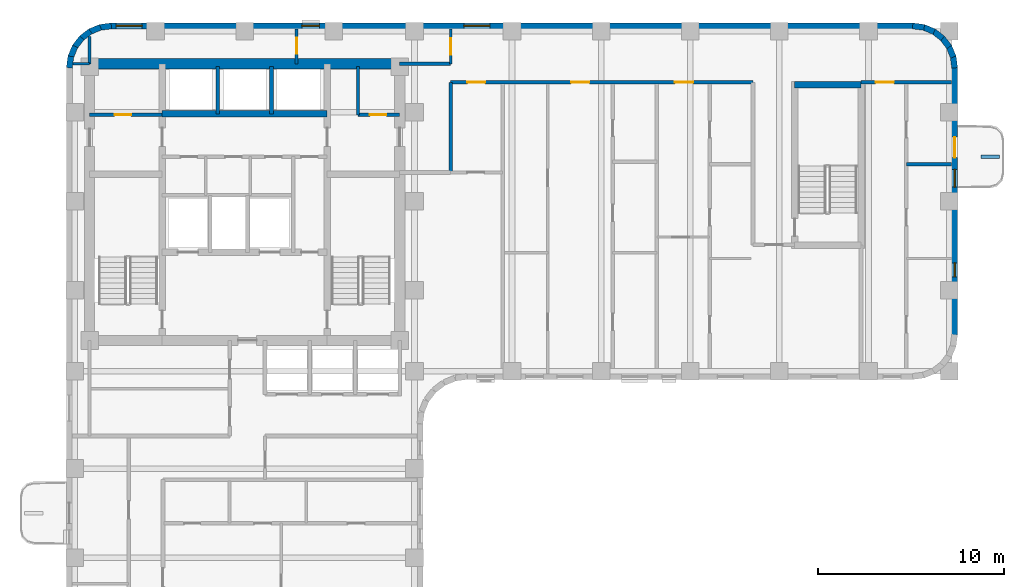
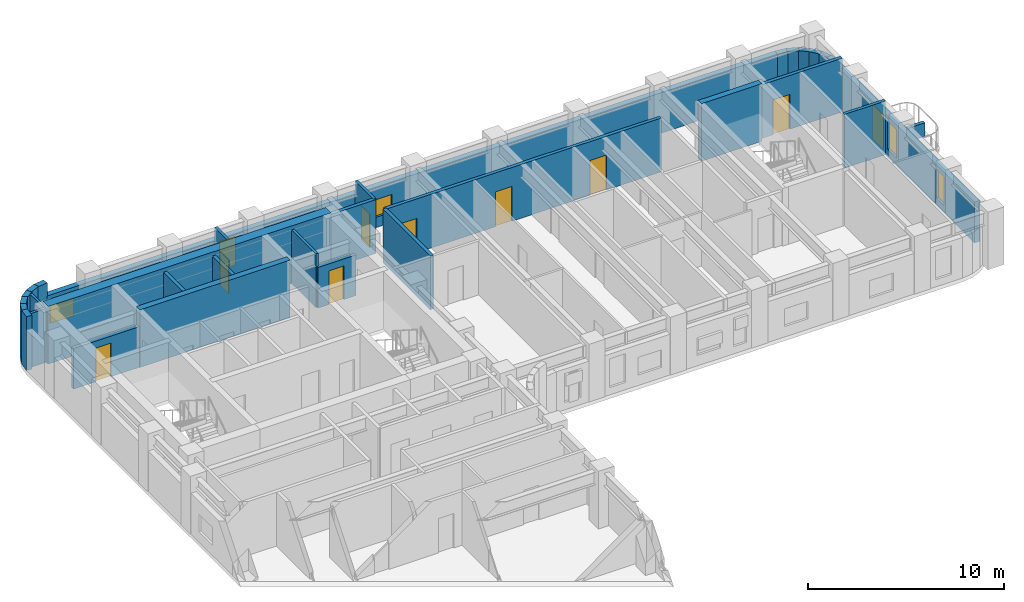
# One storey, part 6 of 10: 32 walls, 9 doors, 5 windows, 14 openings.
"""IFC4 building model written with IfcOpenShell, lengths in metres."""

import ifcopenshell
import ifcopenshell.guid

model = None  # the IFC model being written
_history = None  # IfcOwnerHistory: only IFC2X3 demands one
_inside = {}  # id of a spatial element -> (the spatial element, [elements in it])
_under = {}  # id of a project, library or spatial element -> (it, [spatial elements below it])
_declared = {}  # id of a project -> (the project, [libraries it declares])
_typed = {}  # id of a type object -> (the type object, [elements of that type])
_made_of = {}  # id of a material, layer set ... -> (it, [elements and type objects made of it])


def new_model(schema):
    """Start an empty IFC model of exactly this schema.

    Asked for "IFC4X3", IfcOpenShell would pick the latest addendum, in which some entities
    have other attributes; the version numbers below select the first issue.
    IFC2X3 requires an IfcOwnerHistory on every rooted entity: one is made here for all.
    """
    global model, _history
    if schema == "IFC4X3":
        model = ifcopenshell.file(schema_version=(4, 3, 0, 0))
    else:
        model = ifcopenshell.file(schema=schema)
    _inside.clear()
    _under.clear()
    _declared.clear()
    _typed.clear()
    _made_of.clear()
    _history = None
    if model.schema == "IFC2X3":
        org = make("IfcOrganization", Name="unknown")
        user = make(
            "IfcPersonAndOrganization",
            ThePerson=make("IfcPerson", FamilyName="unknown"),
            TheOrganization=org,
        )
        app = make(
            "IfcApplication",
            ApplicationDeveloper=org,
            Version="unknown",
            ApplicationFullName="unknown",
            ApplicationIdentifier="unknown",
        )
        _history = make(
            "IfcOwnerHistory",
            OwningUser=user,
            OwningApplication=app,
            ChangeAction="ADDED",
            CreationDate=0,
        )
    return model


def make(cls, **values):
    """One entity of the class cls with the attributes given. An attribute that is None is left unset."""
    return model.create_entity(
        cls, **{name: value for name, value in values.items() if value is not None}
    )


def rooted(cls, **values):
    """An entity with a GlobalId (a new one), such as an element, a storey or a relation."""
    return make(cls, GlobalId=ifcopenshell.guid.new(), OwnerHistory=_history, **values)


def si_unit(unit_type, name, prefix=None):
    """IfcSIUnit, for example si_unit("LENGTHUNIT", "METRE", prefix="MILLI")."""
    return make("IfcSIUnit", UnitType=unit_type, Prefix=prefix, Name=name)


def assignment(units):
    """IfcUnitAssignment: the units of a project."""
    return None if units is None else make("IfcUnitAssignment", Units=units)


def point(xyz):
    """IfcCartesianPoint."""
    return None if xyz is None else make("IfcCartesianPoint", Coordinates=xyz)


def direction(xyz):
    """IfcDirection."""
    return None if xyz is None else make("IfcDirection", DirectionRatios=xyz)


def frame(location, z_axis=None, x_axis=None):
    """IfcAxis2Placement3D, a coordinate frame: its origin and axes. An axis left out is left unset."""
    return make(
        "IfcAxis2Placement3D",
        Location=point(location),
        Axis=direction(z_axis),
        RefDirection=direction(x_axis),
    )


def frame_2d(location, x_axis=None):
    """IfcAxis2Placement2D, a coordinate frame in the plane: its origin and x axis."""
    return make(
        "IfcAxis2Placement2D", Location=point(location), RefDirection=direction(x_axis)
    )


def origin():
    """The frame at (0, 0, 0) with its axes left unset."""
    return frame((0.0, 0.0, 0.0))


def place(relative_to, where):
    """IfcLocalPlacement: puts the frame where relative to a parent placement (None: the world)."""
    return make(
        "IfcLocalPlacement", PlacementRelTo=relative_to, RelativePlacement=where
    )


def context(
    kind, dimensions, precision=None, world=None, true_north=None, identifier=None
):
    """IfcGeometricRepresentationContext, for example the 3D "Model" context."""
    return make(
        "IfcGeometricRepresentationContext",
        ContextIdentifier=identifier,
        ContextType=kind,
        CoordinateSpaceDimension=dimensions,
        Precision=precision,
        WorldCoordinateSystem=world,
        TrueNorth=true_north,
    )


def subcontext(parent, identifier, kind, view, scale=None):
    """IfcGeometricRepresentationSubContext, for example "Body" below "Model"."""
    return make(
        "IfcGeometricRepresentationSubContext",
        ContextIdentifier=identifier,
        ContextType=kind,
        ParentContext=parent,
        TargetScale=scale,
        TargetView=view,
    )


def project(units=None, contexts=None):
    """IfcProject with its units and contexts."""
    return rooted(
        "IfcProject",
        Name="project",
        RepresentationContexts=contexts,
        UnitsInContext=assignment(units),
    )


def spatial(cls, under=None, at=None, **own):
    """A site, building, storey or space (cls), placed at a placement, below another one or the project."""
    s = rooted(cls, ObjectPlacement=at, **own)
    if under is not None:
        _under.setdefault(under.id(), (under, []))[1].append(s)
    return s


def profile(cls, at=None, kind="AREA", **sizes):
    """A parametric profile (cls). Its sizes go by their IFC names, for example OverallWidth=200.0."""
    return make(cls, ProfileType=kind, Position=at, **sizes)


def rectangle(**sizes):
    """IfcRectangleProfileDef."""
    return profile("IfcRectangleProfileDef", **sizes)


def extrude(swept, where, along, depth):
    """IfcExtrudedAreaSolid: the profile swept, set in the frame where, extruded along a direction by depth."""
    return make(
        "IfcExtrudedAreaSolid",
        SweptArea=swept,
        Position=where,
        ExtrudedDirection=direction(along),
        Depth=depth,
    )


def shape(context_of_items, identifier, shape_type, items):
    """IfcShapeRepresentation: the items that make up one representation, for example the "Body"."""
    return make(
        "IfcShapeRepresentation",
        ContextOfItems=context_of_items,
        RepresentationIdentifier=identifier,
        RepresentationType=shape_type,
        Items=items,
    )


def material(Name=None, Category=None):
    """IfcMaterial."""
    return make("IfcMaterial", Name=Name, Category=Category)


def layer(
    of_material, thickness, ventilated=None, Name=None, Category=None, Priority=None
):
    """IfcMaterialLayer: one layer of a wall or slab, of a material (None: an air gap)."""
    return make(
        "IfcMaterialLayer",
        Material=of_material,
        LayerThickness=thickness,
        IsVentilated=ventilated,
        Name=Name,
        Category=Category,
        Priority=Priority,
    )


def layer_set(layers, Name=None):
    """IfcMaterialLayerSet."""
    return make("IfcMaterialLayerSet", MaterialLayers=layers, LayerSetName=Name)


def made_of(thing, what):
    """Note that an element or type object is made of a material, layer set ...; save() writes the relation."""
    if what is not None:
        _made_of.setdefault(what.id(), (what, []))[1].append(thing)
    return thing


def type_object(cls, material=None, **own):
    """A type object (cls), such as IfcWallType, which elements share."""
    return made_of(rooted(cls, **own), material)


def element(
    cls,
    number,
    at=None,
    inside=None,
    cuts=None,
    type_object=None,
    material=None,
    context=None,
    identifier="Body",
    shape_type=None,
    held_by="IfcProductDefinitionShape",
    body=None,
    shapes=None,
    **own,
):
    """One element of the class cls, such as IfcWall. Its Tag is "e" and its number.

    at: its placement. inside: the storey or other place that contains it. cuts: it is an
    opening in that element (IfcRelVoidsElement). A single representation is given by context,
    identifier, shape_type and body (its items); several are given by shapes. held_by: the class
    of the entity that holds the representations. save() writes the other relations.
    """
    e = rooted(cls, Tag="e%d" % number, ObjectPlacement=at, **own)
    if body is not None:
        shapes = [shape(context, identifier, shape_type, body)]
    if shapes is not None:
        e.Representation = make(held_by, Representations=shapes)
    if inside is not None:
        _inside.setdefault(inside.id(), (inside, []))[1].append(e)
    if cuts is not None:
        rooted(
            "IfcRelVoidsElement", RelatingBuildingElement=cuts, RelatedOpeningElement=e
        )
    if type_object is not None:
        _typed.setdefault(type_object.id(), (type_object, []))[1].append(e)
    return made_of(e, material)


def fill(opening, filler):
    """IfcRelFillsElement: the door or window that sits in an opening."""
    return rooted(
        "IfcRelFillsElement",
        RelatingOpeningElement=opening,
        RelatedBuildingElement=filler,
    )


def aggregate(whole, parts):
    """IfcRelAggregates: a whole, such as a stair, and the parts it consists of."""
    return rooted("IfcRelAggregates", RelatingObject=whole, RelatedObjects=parts)


def save(model, path):
    """Write the relations noted so far, then the file.

    IfcRelAggregates (storeys below a building ...), IfcRelContainedInSpatialStructure (elements
    in a storey), IfcRelDefinesByType, IfcRelAssociatesMaterial and IfcRelDeclares: one each for
    every whole, place, type object, material and project.
    """
    for whole, parts in _under.values():
        aggregate(whole, parts)
    for where, things in _inside.values():
        rooted(
            "IfcRelContainedInSpatialStructure",
            RelatedElements=things,
            RelatingStructure=where,
        )
    for kind, things in _typed.values():
        rooted("IfcRelDefinesByType", RelatedObjects=things, RelatingType=kind)
    for what, things in _made_of.values():
        rooted("IfcRelAssociatesMaterial", RelatedObjects=things, RelatingMaterial=what)
    for by, libraries in _declared.values():
        rooted("IfcRelDeclares", RelatingContext=by, RelatedDefinitions=libraries)
    model.write(path)


model = new_model("IFC4")

# Units and contexts
model_context = context("Model", 3, precision=1e-05, world=origin(), true_north=direction((0.0, 1.0)))
body_context = subcontext(model_context, "Body", "Model", "MODEL_VIEW")
ifc_project = project(units=[si_unit("LENGTHUNIT", "METRE"), si_unit("AREAUNIT", "SQUARE_METRE"), si_unit("VOLUMEUNIT", "CUBIC_METRE"), si_unit("PLANEANGLEUNIT", "RADIAN"), si_unit("MASSUNIT", "GRAM", prefix="KILO")], contexts=[model_context])

# Site, building, storey
site_placement = place(None, origin())
site = spatial("IfcSite", under=ifc_project, at=site_placement, CompositionType="ELEMENT")
building_placement = place(site_placement, origin())
building = spatial("IfcBuilding", under=site, at=building_placement, Name="Orvandelia Arch Residences", CompositionType="ELEMENT")
storey_placement = place(building_placement, frame((0.0, 0.0, 143.199951171875)))
storey = spatial("IfcBuildingStorey", under=building, at=storey_placement, Name="L37", CompositionType="ELEMENT", Elevation=143.199951171875)

# Walls
ifc_material_1 = material(Name="Concrete C50/60", Category="concrete")
ifc_layer_1 = layer(ifc_material_1, 0.35009765625, Name="Concrete C50/60", Category="concrete")
ifc_layer_set_1 = layer_set([ifc_layer_1], Name="Concrete C50/60")
wall_type_1 = type_object("IfcWallType", Name="WL-CORE-350", PredefinedType="SHEAR", material=ifc_layer_set_1)
wall_1_placement = place(storey_placement, frame((9.9599609375, 43.10009765625, 0.0), z_axis=(0.0, 0.0, 1.0), x_axis=(1.0, 0.0, 0.0)))
element("IfcWall", 1, at=wall_1_placement, inside=storey, type_object=wall_type_1, Name="Core Shear Wall L37-HZ4", PredefinedType="SHEAR", context=body_context, shape_type="SweptSolid", body=[
    extrude(rectangle(XDim=8.880126953125, YDim=0.35009765625, at=frame_2d((4.43994140625, 0.0))), origin(), (0.0, 0.0, 1.0), 3.60009765625),
])
wall_2_placement = place(storey_placement, frame((44.02001953125, 44.659912109375, 0.0), z_axis=(0.0, 0.0, 1.0), x_axis=(1.0, 0.0, 0.0)))
element("IfcWall", 2, at=wall_2_placement, inside=storey, type_object=wall_type_1, Name="East Stair Core Shear Wall L37-N", PredefinedType="SHEAR", context=body_context, shape_type="SweptSolid", body=[
    extrude(rectangle(XDim=3.580078125, YDim=0.35009765625, at=frame_2d((1.7900390625, 0.0))), origin(), (0.0, 0.0, 1.0), 3.60009765625),
])
ifc_material_2 = material(Name="Concrete C60/75", Category="concrete")
ifc_layer_2 = layer(ifc_material_2, 0.550048828125, Name="Concrete C60/75", Category="concrete")
ifc_layer_set_2 = layer_set([ifc_layer_2], Name="Concrete C60/75")
wall_type_2 = type_object("IfcWallType", Name="WL-CORE-550", PredefinedType="SHEAR", material=ifc_layer_set_2)
wall_3_placement = place(storey_placement, frame((6.050048828125, 45.800048828125, 0.0), z_axis=(0.0, 0.0, 1.0), x_axis=(1.0, 0.0, 0.0)))
element("IfcWall", 3, at=wall_3_placement, inside=storey, type_object=wall_type_2, Name="Core Shear Wall L37-N", PredefinedType="SHEAR", context=body_context, shape_type="SweptSolid", body=[
    extrude(rectangle(XDim=16.699951171875, YDim=0.550048828125, at=frame_2d((8.35009765625, 0.0))), origin(), (0.0, 0.0, 1.0), 3.60009765625),
])
ifc_material_3 = material(Name="Fire-Rated Corridor Partition")
ifc_layer_3 = layer(ifc_material_3, 0.199951171875, Name="Fire-Rated Corridor Partition")
ifc_layer_set_3 = layer_set([ifc_layer_3], Name="Fire-Rated Corridor Partition")
wall_type_3 = type_object("IfcWallType", Name="WL-CORR-200", PredefinedType="PARTITIONING", material=ifc_layer_set_3)
wall_4_placement = place(storey_placement, frame((22.75, 45.800048828125, 0.0), z_axis=(0.0, 0.0, 1.0), x_axis=(1.0, 0.0, 0.0)))
element("IfcWall", 4, at=wall_4_placement, inside=storey, type_object=wall_type_3, Name="Interior Partition Wall WL-L37-NCE-S", PredefinedType="PARTITIONING", context=body_context, shape_type="SweptSolid", body=[
    extrude(rectangle(XDim=2.75, YDim=0.199951171875, at=frame_2d((1.375, 0.0))), origin(), (0.0, 0.0, 1.0), 3.360107421875),
])

# Wall, openings, doors
wall_5_placement = place(storey_placement, frame((25.5, 44.800048828125, 0.0), z_axis=(0.0, 0.0, 1.0), x_axis=(1.0, 0.0, 0.0)))
wall_5 = element("IfcWall", 5, at=wall_5_placement, inside=storey, type_object=wall_type_3, Name="Interior Partition Wall WL-L37-EN2-S1", PredefinedType="PARTITIONING", context=body_context, shape_type="SweptSolid", body=[
    extrude(rectangle(XDim=16.280029296875, YDim=0.199951171875, at=frame_2d((8.14013671875, 0.0))), origin(), (0.0, 0.0, 1.0), 3.360107421875),
])
opening_1_placement = place(wall_5_placement, frame((0.89990234375, 0.0, 0.0)))
opening_1 = element("IfcOpeningElement", 6, at=opening_1_placement, cuts=wall_5, Name="Opening D2", PredefinedType="OPENING", context=body_context, shape_type="SweptSolid", body=[
    extrude(rectangle(XDim=0.949951171875, YDim=2.14990234375, at=frame_2d((0.47509765625, 1.074951171875))), frame((0.0, 0.10986328125, 0.0), z_axis=(0.0, -1.0, 0.0), x_axis=(1.0, 0.0, 0.0)), (0.0, 0.0, 1.0), 0.219970703125),
])
opening_2_placement = place(wall_5_placement, frame((6.485595703125, 0.0, 0.0)))
opening_2 = element("IfcOpeningElement", 7, at=opening_2_placement, cuts=wall_5, Name="Opening D1", PredefinedType="OPENING", context=body_context, shape_type="SweptSolid", body=[
    extrude(rectangle(XDim=0.97998046875, YDim=2.179931640625, at=frame_2d((0.489990234375, 1.08984375))), frame((0.0, 0.10986328125, 0.0), z_axis=(0.0, -1.0, 0.0), x_axis=(1.0, 0.0, 0.0)), (0.0, 0.0, 1.0), 0.219970703125),
])
opening_3_placement = place(wall_5_placement, frame((12.074951171875, 0.0, 0.0)))
opening_3 = element("IfcOpeningElement", 8, at=opening_3_placement, cuts=wall_5, Name="Opening D1", PredefinedType="OPENING", context=body_context, shape_type="SweptSolid", body=[
    extrude(rectangle(XDim=0.97998046875, YDim=2.179931640625, at=frame_2d((0.489990234375, 1.08984375))), frame((0.0, 0.10986328125, 0.0), z_axis=(0.0, -1.0, 0.0), x_axis=(1.0, 0.0, 0.0)), (0.0, 0.0, 1.0), 0.219970703125),
])
ifc_material_4 = material(Name="Solid-Core Timber Interior Fire Door", Category="wood")
door_type_1 = type_object("IfcDoorType", Name="DR-APT-950", OperationType="NOTDEFINED", PredefinedType="DOOR", material=ifc_material_4)
door_1_placement = place(opening_1_placement, origin())
door_1 = element("IfcDoor", 9, at=door_1_placement, inside=storey, type_object=door_type_1, Name="DR-L37-EN2KLD", OperationType="SINGLE_SWING_LEFT", OverallHeight=2.14990234375, OverallWidth=0.949951171875, PredefinedType="DOOR", context=body_context, shape_type="SweptSolid", body=[
    extrude(rectangle(XDim=0.949951171875, YDim=2.14990234375, at=frame_2d((0.47509765625, 1.074951171875))), frame((0.0, 0.02490234375, 0.0), z_axis=(0.0, -1.0, 0.0), x_axis=(1.0, 0.0, 0.0)), (0.0, 0.0, 1.0), 0.050048828125),
])
fill(opening_1, door_1)
ifc_material_5 = material(Name="Solid-Core Timber Acoustic Fire Door", Category="wood")
door_type_2 = type_object("IfcDoorType", Name="DR-ENT-980", OperationType="NOTDEFINED", PredefinedType="DOOR", material=ifc_material_5)
door_2_placement = place(opening_2_placement, origin())
door_2 = element("IfcDoor", 10, at=door_2_placement, inside=storey, type_object=door_type_2, Name="Unit L37-03 Entrance Door", OperationType="SINGLE_SWING_LEFT", OverallHeight=2.179931640625, OverallWidth=0.97998046875, PredefinedType="DOOR", context=body_context, shape_type="SweptSolid", body=[
    extrude(rectangle(XDim=0.97998046875, YDim=2.179931640625, at=frame_2d((0.489990234375, 1.08984375))), frame((0.0, 0.02490234375, 0.0), z_axis=(0.0, -1.0, 0.0), x_axis=(1.0, 0.0, 0.0)), (0.0, 0.0, 1.0), 0.050048828125),
])
fill(opening_2, door_2)
door_3_placement = place(opening_3_placement, origin())
door_3 = element("IfcDoor", 11, at=door_3_placement, inside=storey, type_object=door_type_2, Name="Unit L37-04 Entrance Door", OperationType="SINGLE_SWING_RIGHT", OverallHeight=2.179931640625, OverallWidth=0.97998046875, PredefinedType="DOOR", context=body_context, shape_type="SweptSolid", body=[
    extrude(rectangle(XDim=0.97998046875, YDim=2.179931640625, at=frame_2d((0.489990234375, 1.08984375))), frame((0.0, 0.02490234375, 0.0), z_axis=(0.0, -1.0, 0.0), x_axis=(1.0, 0.0, 0.0)), (0.0, 0.0, 1.0), 0.050048828125),
])
fill(opening_3, door_3)

# Wall, opening, door
wall_6_placement = place(storey_placement, frame((47.60009765625, 44.800048828125, 0.0), z_axis=(0.0, 0.0, 1.0), x_axis=(1.0, 0.0, 0.0)))
wall_6 = element("IfcWall", 12, at=wall_6_placement, inside=storey, type_object=wall_type_3, Name="Interior Partition Wall WL-L37-EN2-S2", PredefinedType="PARTITIONING", context=body_context, shape_type="SweptSolid", body=[
    extrude(rectangle(XDim=4.8798828125, YDim=0.199951171875, at=frame_2d((2.43994140625, 0.0))), origin(), (0.0, 0.0, 1.0), 3.360107421875),
])
opening_4_placement = place(wall_6_placement, frame((0.79150390625, 0.0, 0.0)))
opening_4 = element("IfcOpeningElement", 13, at=opening_4_placement, cuts=wall_6, Name="Opening D1", PredefinedType="OPENING", context=body_context, shape_type="SweptSolid", body=[
    extrude(rectangle(XDim=0.97998046875, YDim=2.179931640625, at=frame_2d((0.489990234375, 1.08984375))), frame((0.0, 0.10986328125, 0.0), z_axis=(0.0, -1.0, 0.0), x_axis=(1.0, 0.0, 0.0)), (0.0, 0.0, 1.0), 0.219970703125),
])
door_4_placement = place(opening_4_placement, origin())
door_4 = element("IfcDoor", 14, at=door_4_placement, inside=storey, type_object=door_type_2, Name="Unit L37-05 Entrance Door", OperationType="SINGLE_SWING_LEFT", OverallHeight=2.179931640625, OverallWidth=0.97998046875, PredefinedType="DOOR", context=body_context, shape_type="SweptSolid", body=[
    extrude(rectangle(XDim=0.97998046875, YDim=2.179931640625, at=frame_2d((0.489990234375, 1.08984375))), frame((0.0, 0.02490234375, 0.0), z_axis=(0.0, -1.0, 0.0), x_axis=(1.0, 0.0, 0.0)), (0.0, 0.0, 1.0), 0.050048828125),
])
fill(opening_4, door_4)

# Walls
wall_7_placement = place(storey_placement, frame((25.5, 39.949951171875, 0.0), z_axis=(0.0, 0.0, 1.0), x_axis=(0.0, 1.0, 0.0)))
element("IfcWall", 15, at=wall_7_placement, inside=storey, type_object=wall_type_3, Name="Interior Partition Wall WL-L37-EN2-LW", PredefinedType="PARTITIONING", context=body_context, shape_type="SweptSolid", body=[
    extrude(rectangle(XDim=4.85009765625, YDim=0.199951171875, at=frame_2d((2.425048828125, 0.0))), origin(), (0.0, 0.0, 1.0), 3.360107421875),
])
ifc_material_6 = material(Name="Precast concrete C40/50", Category="concrete")
ifc_layer_4 = layer(ifc_material_6, 0.320068359375, Name="Precast concrete C40/50", Category="concrete")
ifc_layer_set_4 = layer_set([ifc_layer_4], Name="Precast concrete C40/50")
wall_type_4 = type_object("IfcWallType", Name="WL-EXT-STONE-320", PredefinedType="STANDARD", material=ifc_layer_set_4)
for number, where, z_axis, x_axis, name in (
    (16, (4.95849609375, 45.5791015625, 0.0), (0.0, 0.0, 1.0), (0.130555323746, 0.9914410257, 0.0), "Coral-Limestone Precast Facade Wall L37-001"),
    (17, (5.029541015625, 46.159912109375, 0.0), (0.0, 0.0, 1.0), (0.382650053678, 0.92389335771, 0.0), "Coral-Limestone Precast Facade Wall L37-002"),
):
    element("IfcWall", number, at=place(storey_placement, frame(where, z_axis=z_axis, x_axis=x_axis)), inside=storey, type_object=wall_type_4, Name=name, PredefinedType="STANDARD", context=body_context, shape_type="SweptSolid", body=[
        extrude(rectangle(XDim=0.62646484375, YDim=0.320068359375, at=frame_2d((0.313232421875, 0.0))), origin(), (0.0, 0.0, 1.0), 3.360107421875),
    ])
wall_8_placement = place(storey_placement, frame((5.248291015625, 46.70263671875, 0.0), z_axis=(0.0, 0.0, 1.0), x_axis=(0.608938521285, 0.7932174212, 0.0)))
element("IfcWall", 18, at=wall_8_placement, inside=storey, type_object=wall_type_4, Name="Coral-Limestone Precast Facade Wall L37-003", PredefinedType="STANDARD", context=body_context, shape_type="SweptSolid", body=[
    extrude(rectangle(XDim=0.626708984375, YDim=0.320068359375, at=frame_2d((0.3134765625, 0.0))), origin(), (0.0, 0.0, 1.0), 3.360107421875),
])
wall_9_placement = place(storey_placement, frame((5.600341796875, 47.170166015625, 0.0), z_axis=(0.0, 0.0, 1.0), x_axis=(0.793405610854, 0.608693302629, 0.0)))
element("IfcWall", 19, at=wall_9_placement, inside=storey, type_object=wall_type_4, Name="Coral-Limestone Precast Facade Wall L37-004", PredefinedType="STANDARD", context=body_context, shape_type="SweptSolid", body=[
    extrude(rectangle(XDim=0.62646484375, YDim=0.320068359375, at=frame_2d((0.313232421875, 0.0))), origin(), (0.0, 0.0, 1.0), 3.360107421875),
])
wall_10_placement = place(storey_placement, frame((6.061279296875, 47.53076171875, 0.0), z_axis=(0.0, 0.0, 1.0), x_axis=(0.923836271867, 0.382787856107, 0.0)))
element("IfcWall", 20, at=wall_10_placement, inside=storey, type_object=wall_type_4, Name="Coral-Limestone Precast Facade Wall L37-005", PredefinedType="STANDARD", context=body_context, shape_type="SweptSolid", body=[
    extrude(rectangle(XDim=0.626220703125, YDim=0.320068359375, at=frame_2d((0.31298828125, 0.0))), origin(), (0.0, 0.0, 1.0), 3.360107421875),
])
wall_11_placement = place(storey_placement, frame((6.599609375, 47.759521484375, 0.0), z_axis=(0.0, 0.0, 1.0), x_axis=(0.991447664465, 0.130504898859, 0.0)))
element("IfcWall", 21, at=wall_11_placement, inside=storey, type_object=wall_type_4, Name="Coral-Limestone Precast Facade Wall L37-006", PredefinedType="STANDARD", context=body_context, shape_type="SweptSolid", body=[
    extrude(rectangle(XDim=0.626708984375, YDim=0.320068359375, at=frame_2d((0.3134765625, 0.0))), origin(), (0.0, 0.0, 1.0), 3.360107421875),
])

# Wall, openings, windows
wall_12_placement = place(storey_placement, frame((7.199951171875, 47.840087890625, 0.0), z_axis=(0.0, 0.0, 1.0), x_axis=(1.0, 0.0, 0.0)))
wall_12 = element("IfcWall", 22, at=wall_12_placement, inside=storey, type_object=wall_type_4, Name="Coral-Limestone Precast Facade Wall L37-007", PredefinedType="STANDARD", context=body_context, shape_type="SweptSolid", body=[
    extrude(rectangle(XDim=43.199951171875, YDim=0.320068359375, at=frame_2d((21.60009765625, 0.0))), origin(), (0.0, 0.0, 1.0), 2.5400390625),
])
opening_5_placement = place(wall_12_placement, frame((19.00244140625, 0.0, 0.64990234375)))
opening_5 = element("IfcOpeningElement", 23, at=opening_5_placement, cuts=wall_12, Name="Opening W10", PredefinedType="OPENING", context=body_context, shape_type="SweptSolid", body=[
    extrude(rectangle(XDim=1.39990234375, YDim=1.10009765625, at=frame_2d((0.699951171875, 0.550048828125))), frame((0.0, 0.169921875, 0.0), z_axis=(0.0, -1.0, 0.0), x_axis=(1.0, 0.0, 0.0)), (0.0, 0.0, 1.0), 0.340087890625),
])
opening_6_placement = place(wall_12_placement, frame((0.282470703125, 0.0, 0.64990234375)))
opening_6 = element("IfcOpeningElement", 24, at=opening_6_placement, cuts=wall_12, Name="Opening W10", PredefinedType="OPENING", context=body_context, shape_type="SweptSolid", body=[
    extrude(rectangle(XDim=1.39990234375, YDim=1.10009765625, at=frame_2d((0.699951171875, 0.550048828125))), frame((0.0, 0.169921875, 0.0), z_axis=(0.0, -1.0, 0.0), x_axis=(1.0, 0.0, 0.0)), (0.0, 0.0, 1.0), 0.340087890625),
])
opening_7_placement = place(wall_12_placement, frame((10.277587890625, 0.0, 0.449951171875)))
opening_7 = element("IfcOpeningElement", 25, at=opening_7_placement, cuts=wall_12, Name="Opening W4", PredefinedType="OPENING", context=body_context, shape_type="SweptSolid", body=[
    extrude(rectangle(XDim=0.949951171875, YDim=1.800048828125, at=frame_2d((0.47509765625, 0.89990234375))), frame((0.0, 0.169921875, 0.0), z_axis=(0.0, -1.0, 0.0), x_axis=(1.0, 0.0, 0.0)), (0.0, 0.0, 1.0), 0.340087890625),
])
ifc_material_7 = material(Name="Tempered Low-E Insulated Glazing", Category="glass")
window_type_1 = type_object("IfcWindowType", Name="WIN-CLR-1400x1100", PartitioningType="SINGLE_PANEL", PredefinedType="WINDOW", material=ifc_material_7)
window_1_placement = place(opening_5_placement, origin())
window_1 = element("IfcWindow", 26, at=window_1_placement, inside=storey, type_object=window_type_1, Name="Recessed Punched Window L37-001", OverallHeight=1.10009765625, OverallWidth=1.39990234375, PartitioningType="SINGLE_PANEL", PredefinedType="WINDOW", context=body_context, shape_type="SweptSolid", body=[
    extrude(rectangle(XDim=1.39990234375, YDim=1.10009765625, at=frame_2d((0.699951171875, 0.550048828125))), frame((0.0, 0.030029296875, 0.0), z_axis=(0.0, -1.0, 0.0), x_axis=(1.0, 0.0, 0.0)), (0.0, 0.0, 1.0), 0.06005859375),
])
fill(opening_5, window_1)
window_2_placement = place(opening_6_placement, origin())
window_2 = element("IfcWindow", 27, at=window_2_placement, inside=storey, type_object=window_type_1, Name="Recessed Punched Window L37-002", OverallHeight=1.10009765625, OverallWidth=1.39990234375, PartitioningType="SINGLE_PANEL", PredefinedType="WINDOW", context=body_context, shape_type="SweptSolid", body=[
    extrude(rectangle(XDim=1.39990234375, YDim=1.10009765625, at=frame_2d((0.699951171875, 0.550048828125))), frame((0.0, 0.030029296875, 0.0), z_axis=(0.0, -1.0, 0.0), x_axis=(1.0, 0.0, 0.0)), (0.0, 0.0, 1.0), 0.06005859375),
])
fill(opening_6, window_2)
window_type_2 = type_object("IfcWindowType", Name="WIN-RES-0950x1800", PartitioningType="SINGLE_PANEL", PredefinedType="WINDOW", material=ifc_material_7)
window_3_placement = place(opening_7_placement, origin())
window_3 = element("IfcWindow", 28, at=window_3_placement, inside=storey, type_object=window_type_2, Name="Recessed Punched Window L37-003", OverallHeight=1.800048828125, OverallWidth=0.949951171875, PartitioningType="SINGLE_PANEL", PredefinedType="WINDOW", context=body_context, shape_type="SweptSolid", body=[
    extrude(rectangle(XDim=0.949951171875, YDim=1.800048828125, at=frame_2d((0.47509765625, 0.89990234375))), frame((0.0, 0.030029296875, 0.0), z_axis=(0.0, -1.0, 0.0), x_axis=(1.0, 0.0, 0.0)), (0.0, 0.0, 1.0), 0.06005859375),
])
fill(opening_7, window_3)

# Walls
for number, where, z_axis, x_axis, name in (
    (29, (50.379150390625, 47.84130859375, 0.0), (0.0, 0.0, 1.0), (0.9914410257, -0.130555323746, 0.0), "Coral-Limestone Precast Facade Wall L37-008"),
    (30, (50.9599609375, 47.7705078125, 0.0), (0.0, 0.0, 1.0), (0.92389335771, -0.382650053678, 0.0), "Coral-Limestone Precast Facade Wall L37-009"),
    (31, (51.502685546875, 47.551513671875, 0.0), (0.0, 0.0, 1.0), (0.793405610854, -0.608693302629, 0.0), "Coral-Limestone Precast Facade Wall L37-010"),
    (32, (51.97021484375, 47.19970703125, 0.0), (0.0, 0.0, 1.0), (0.608693302629, -0.793405610854, 0.0), "Coral-Limestone Precast Facade Wall L37-011"),
    (33, (52.330810546875, 46.73876953125, 0.0), (0.0, 0.0, 1.0), (0.382317370307, -0.924031075431, 0.0), "Coral-Limestone Precast Facade Wall L37-012"),
    (34, (52.5595703125, 46.2001953125, 0.0), (0.0, 0.0, 1.0), (0.130555323746, -0.9914410257, 0.0), "Coral-Limestone Precast Facade Wall L37-013"),
):
    element("IfcWall", number, at=place(storey_placement, frame(where, z_axis=z_axis, x_axis=x_axis)), inside=storey, type_object=wall_type_4, Name=name, PredefinedType="STANDARD", context=body_context, shape_type="SweptSolid", body=[
        extrude(rectangle(XDim=0.62646484375, YDim=0.320068359375, at=frame_2d((0.313232421875, 0.0))), origin(), (0.0, 0.0, 1.0), 2.5400390625),
    ])

# Wall, openings, door, windows
wall_13_placement = place(storey_placement, frame((52.639892578125, 45.60009765625, 0.0), z_axis=(0.0, 0.0, 1.0), x_axis=(0.0, -1.0, 0.0)))
wall_13 = element("IfcWall", 35, at=wall_13_placement, inside=storey, type_object=wall_type_4, Name="Coral-Limestone Precast Facade Wall L37-014", PredefinedType="STANDARD", context=body_context, shape_type="SweptSolid", body=[
    extrude(rectangle(XDim=14.400146484375, YDim=0.320068359375, at=frame_2d((7.2001953125, 0.0))), origin(), (0.0, 0.0, 1.0), 2.5400390625),
])
opening_8_placement = place(wall_13_placement, frame((3.75, 0.0, 0.0)))
opening_8 = element("IfcOpeningElement", 36, at=opening_8_placement, cuts=wall_13, Name="Opening BD1", PredefinedType="OPENING", context=body_context, shape_type="SweptSolid", body=[
    extrude(rectangle(XDim=1.10009765625, YDim=2.14990234375, at=frame_2d((0.550048828125, 1.074951171875))), frame((0.0, 0.169921875, 0.0), z_axis=(0.0, -1.0, 0.0), x_axis=(1.0, 0.0, 0.0)), (0.0, 0.0, 1.0), 0.340087890625),
])
opening_9_placement = place(wall_13_placement, frame((10.51953125, 0.0, 0.449951171875)))
opening_9 = element("IfcOpeningElement", 37, at=opening_9_placement, cuts=wall_13, Name="Opening W11", PredefinedType="OPENING", context=body_context, shape_type="SweptSolid", body=[
    extrude(rectangle(XDim=0.75, YDim=1.800048828125, at=frame_2d((0.375, 0.89990234375))), frame((0.0, 0.169921875, 0.0), z_axis=(0.0, -1.0, 0.0), x_axis=(1.0, 0.0, 0.0)), (0.0, 0.0, 1.0), 0.340087890625),
])
opening_10_placement = place(wall_13_placement, frame((5.486083984375, 0.0, 0.449951171875)))
opening_10 = element("IfcOpeningElement", 38, at=opening_10_placement, cuts=wall_13, Name="Opening W4", PredefinedType="OPENING", context=body_context, shape_type="SweptSolid", body=[
    extrude(rectangle(XDim=0.949951171875, YDim=1.800048828125, at=frame_2d((0.47509765625, 0.89990234375))), frame((0.0, 0.169921875, 0.0), z_axis=(0.0, -1.0, 0.0), x_axis=(1.0, 0.0, 0.0)), (0.0, 0.0, 1.0), 0.340087890625),
])
ifc_material_8 = material(Name="Thermally Broken Aluminium Glazed Door", Category="aluminium")
door_type_3 = type_object("IfcDoorType", Name="DR-BAL-GLAZ-1100", OperationType="NOTDEFINED", PredefinedType="DOOR", material=ifc_material_8)
door_5_placement = place(opening_8_placement, origin())
door_5 = element("IfcDoor", 39, at=door_5_placement, inside=storey, type_object=door_type_3, Name="Tree Balcony Glazed Door BAL-L37-E1", OperationType="SINGLE_SWING_LEFT", OverallHeight=2.14990234375, OverallWidth=1.10009765625, PredefinedType="DOOR", context=body_context, shape_type="SweptSolid", body=[
    extrude(rectangle(XDim=1.10009765625, YDim=2.14990234375, at=frame_2d((0.550048828125, 1.074951171875))), frame((0.0, 0.02490234375, 0.0), z_axis=(0.0, -1.0, 0.0), x_axis=(1.0, 0.0, 0.0)), (0.0, 0.0, 1.0), 0.050048828125),
])
fill(opening_8, door_5)
window_type_3 = type_object("IfcWindowType", Name="WIN-BED-0750x1800", PartitioningType="SINGLE_PANEL", PredefinedType="WINDOW", material=ifc_material_7)
window_4_placement = place(opening_9_placement, origin())
window_4 = element("IfcWindow", 40, at=window_4_placement, inside=storey, type_object=window_type_3, Name="Recessed Punched Window L37-004", OverallHeight=1.800048828125, OverallWidth=0.75, PartitioningType="SINGLE_PANEL", PredefinedType="WINDOW", context=body_context, shape_type="SweptSolid", body=[
    extrude(rectangle(XDim=0.75, YDim=1.800048828125, at=frame_2d((0.375, 0.89990234375))), frame((0.0, 0.030029296875, 0.0), z_axis=(0.0, -1.0, 0.0), x_axis=(1.0, 0.0, 0.0)), (0.0, 0.0, 1.0), 0.06005859375),
])
fill(opening_9, window_4)
window_5_placement = place(opening_10_placement, origin())
window_5 = element("IfcWindow", 41, at=window_5_placement, inside=storey, type_object=window_type_2, Name="Recessed Punched Window L37-005", OverallHeight=1.800048828125, OverallWidth=0.949951171875, PartitioningType="SINGLE_PANEL", PredefinedType="WINDOW", context=body_context, shape_type="SweptSolid", body=[
    extrude(rectangle(XDim=0.949951171875, YDim=1.800048828125, at=frame_2d((0.47509765625, 0.89990234375))), frame((0.0, 0.030029296875, 0.0), z_axis=(0.0, -1.0, 0.0), x_axis=(1.0, 0.0, 0.0)), (0.0, 0.0, 1.0), 0.06005859375),
])
fill(opening_10, window_5)

# Walls
ifc_material_9 = material(Name="Acoustic Gypsum Stud Partition")
ifc_layer_5 = layer(ifc_material_9, 0.14990234375, Name="Acoustic Gypsum Stud Partition")
ifc_layer_set_5 = layer_set([ifc_layer_5], Name="Acoustic Gypsum Stud Partition")
wall_type_5 = type_object("IfcWallType", Name="WL-PART-150", PredefinedType="PARTITIONING", material=ifc_layer_set_5)
wall_14_placement = place(storey_placement, frame((20.5, 43.050048828125, 0.0), z_axis=(0.0, 0.0, 1.0), x_axis=(0.0, 1.0, 0.0)))
element("IfcWall", 42, at=wall_14_placement, inside=storey, type_object=wall_type_5, Name="Interior Partition Wall WL-L37-CSB-2W", PredefinedType="PARTITIONING", context=body_context, shape_type="SweptSolid", body=[
    extrude(rectangle(XDim=2.599853515625, YDim=0.14990234375, at=frame_2d((1.2998046875, 0.0))), origin(), (0.0, 0.0, 1.0), 3.360107421875),
])
wall_15_placement = place(storey_placement, frame((5.159912109375, 45.800048828125, 0.0), z_axis=(0.0, 0.0, 1.0), x_axis=(1.0, 0.0, 0.0)))
element("IfcWall", 43, at=wall_15_placement, inside=storey, type_object=wall_type_5, Name="Interior Partition Wall WL-L37-WF-N", PredefinedType="PARTITIONING", context=body_context, shape_type="SweptSolid", body=[
    extrude(rectangle(XDim=0.89013671875, YDim=0.14990234375, at=frame_2d((0.445068359375, 0.0))), origin(), (0.0, 0.0, 1.0), 3.360107421875),
])

# Wall, opening, door
wall_16_placement = place(storey_placement, frame((25.5, 45.800048828125, 0.0), z_axis=(0.0, 0.0, 1.0), x_axis=(0.0, 1.0, 0.0)))
wall_16 = element("IfcWall", 44, at=wall_16_placement, inside=storey, type_object=wall_type_5, Name="Interior Partition Wall WL-L37-NCE-W", PredefinedType="PARTITIONING", context=body_context, shape_type="SweptSolid", body=[
    extrude(rectangle(XDim=1.8798828125, YDim=0.14990234375, at=frame_2d((0.93994140625, 0.0))), origin(), (0.0, 0.0, 1.0), 3.360107421875),
])
opening_11_placement = place(wall_16_placement, frame((0.5, 0.0, 0.0)))
opening_11 = element("IfcOpeningElement", 45, at=opening_11_placement, cuts=wall_16, Name="Opening D5", PredefinedType="OPENING", context=body_context, shape_type="SweptSolid", body=[
    extrude(rectangle(XDim=0.8798828125, YDim=2.10009765625, at=frame_2d((0.43994140625, 1.050048828125))), frame((0.0, 0.0849609375, 0.0), z_axis=(0.0, -1.0, 0.0), x_axis=(1.0, 0.0, 0.0)), (0.0, 0.0, 1.0), 0.169921875),
])
ifc_material_10 = material(Name="Painted Galvanised Steel Service Door", Category="steel")
door_type_4 = type_object("IfcDoorType", Name="DR-SRV-880", OperationType="NOTDEFINED", PredefinedType="DOOR", material=ifc_material_10)
door_6_placement = place(opening_11_placement, origin())
door_6 = element("IfcDoor", 46, at=door_6_placement, inside=storey, type_object=door_type_4, Name="DR-L37-NCS2", OperationType="SINGLE_SWING_LEFT", OverallHeight=2.10009765625, OverallWidth=0.8798828125, PredefinedType="DOOR", context=body_context, shape_type="SweptSolid", body=[
    extrude(rectangle(XDim=0.8798828125, YDim=2.10009765625, at=frame_2d((0.43994140625, 1.050048828125))), frame((0.0, 0.02490234375, 0.0), z_axis=(0.0, -1.0, 0.0), x_axis=(1.0, 0.0, 0.0)), (0.0, 0.0, 1.0), 0.050048828125),
])
fill(opening_11, door_6)

# Wall
wall_17_placement = place(storey_placement, frame((6.050048828125, 45.800048828125, 0.0), z_axis=(0.0, 0.0, 1.0), x_axis=(0.0, 1.0, 0.0)))
element("IfcWall", 47, at=wall_17_placement, inside=storey, type_object=wall_type_5, Name="Interior Partition Wall WL-L37-NC-W6", PredefinedType="PARTITIONING", context=body_context, shape_type="SweptSolid", body=[
    extrude(rectangle(XDim=1.4599609375, YDim=0.14990234375, at=frame_2d((0.72998046875, 0.0))), origin(), (0.0, 0.0, 1.0), 3.360107421875),
])

# Wall, opening, door
wall_18_placement = place(storey_placement, frame((17.199951171875, 45.800048828125, 0.0), z_axis=(0.0, 0.0, 1.0), x_axis=(0.0, 1.0, 0.0)))
wall_18 = element("IfcWall", 48, at=wall_18_placement, inside=storey, type_object=wall_type_5, Name="Interior Partition Wall WL-L37-NC-M", PredefinedType="PARTITIONING", context=body_context, shape_type="SweptSolid", body=[
    extrude(rectangle(XDim=1.8798828125, YDim=0.14990234375, at=frame_2d((0.93994140625, 0.0))), origin(), (0.0, 0.0, 1.0), 3.360107421875),
])
opening_12_placement = place(wall_18_placement, frame((0.550048828125, 0.0, 0.0)))
opening_12 = element("IfcOpeningElement", 49, at=opening_12_placement, cuts=wall_18, Name="Opening D4", PredefinedType="OPENING", context=body_context, shape_type="SweptSolid", body=[
    extrude(rectangle(XDim=0.860107421875, YDim=2.10009765625, at=frame_2d((0.43017578125, 1.050048828125))), frame((0.0, 0.0849609375, 0.0), z_axis=(0.0, -1.0, 0.0), x_axis=(1.0, 0.0, 0.0)), (0.0, 0.0, 1.0), 0.169921875),
])
ifc_material_11 = material(Name="Moisture-Sealed Timber Bathroom Door", Category="wood")
door_type_5 = type_object("IfcDoorType", Name="DR-WET-900", OperationType="NOTDEFINED", PredefinedType="DOOR", material=ifc_material_11)
door_7_placement = place(opening_12_placement, origin())
door_7 = element("IfcDoor", 50, at=door_7_placement, inside=storey, type_object=door_type_5, Name="DR-L37-NCS1", OperationType="SINGLE_SWING_LEFT", OverallHeight=2.10009765625, OverallWidth=0.860107421875, PredefinedType="DOOR", context=body_context, shape_type="SweptSolid", body=[
    extrude(rectangle(XDim=0.860107421875, YDim=2.10009765625, at=frame_2d((0.43017578125, 1.050048828125))), frame((0.0, 0.02490234375, 0.0), z_axis=(0.0, -1.0, 0.0), x_axis=(1.0, 0.0, 0.0)), (0.0, 0.0, 1.0), 0.050048828125),
])
fill(opening_12, door_7)

# Wall
ifc_layer_6 = layer(ifc_material_6, 0.199951171875, Name="Precast concrete C40/50", Category="concrete")
ifc_layer_set_6 = layer_set([ifc_layer_6], Name="Precast concrete C40/50")
wall_type_6 = type_object("IfcWallType", Name="WL-PLANTER-200", PredefinedType="MOVABLE", material=ifc_layer_set_6)
wall_19_placement = place(storey_placement, frame((54.050048828125, 40.800048828125, 0.0), z_axis=(0.0, 0.0, 1.0), x_axis=(1.0, 0.0, 0.0)))
element("IfcWall", 51, at=wall_19_placement, inside=storey, type_object=wall_type_6, Name="Balcony Precast Tree Planter BAL-L37-E1", PredefinedType="MOVABLE", context=body_context, shape_type="SweptSolid", body=[
    extrude(rectangle(XDim=1.0, YDim=0.199951171875, at=frame_2d((0.5, 0.0))), origin(), (0.0, 0.0, 1.0), 0.85009765625),
])

# Wall, opening, door
ifc_material_12 = material(Name="Fire-Rated Shaft Enclosure Wall")
ifc_layer_7 = layer(ifc_material_12, 0.199951171875, Name="Fire-Rated Shaft Enclosure Wall")
ifc_layer_set_7 = layer_set([ifc_layer_7], Name="Fire-Rated Shaft Enclosure Wall")
wall_type_7 = type_object("IfcWallType", Name="WL-SHAFT-200", PredefinedType="POLYGONAL", material=ifc_layer_set_7)
wall_20_placement = place(storey_placement, frame((20.5, 43.050048828125, 0.0), z_axis=(0.0, 0.0, 1.0), x_axis=(1.0, 0.0, 0.0)))
wall_20 = element("IfcWall", 52, at=wall_20_placement, inside=storey, type_object=wall_type_7, Name="Interior Partition Wall WL-L37-HLE-N", PredefinedType="POLYGONAL", context=body_context, shape_type="SweptSolid", body=[
    extrude(rectangle(XDim=2.25, YDim=0.199951171875, at=frame_2d((1.125, 0.0))), origin(), (0.0, 0.0, 1.0), 2.5400390625),
])
opening_13_placement = place(wall_20_placement, frame((0.64990234375, 0.0, 0.0)))
opening_13 = element("IfcOpeningElement", 53, at=opening_13_placement, cuts=wall_20, Name="Opening D5", PredefinedType="OPENING", context=body_context, shape_type="SweptSolid", body=[
    extrude(rectangle(XDim=0.8798828125, YDim=2.10009765625, at=frame_2d((0.43994140625, 1.050048828125))), frame((0.0, 0.10986328125, 0.0), z_axis=(0.0, -1.0, 0.0), x_axis=(1.0, 0.0, 0.0)), (0.0, 0.0, 1.0), 0.219970703125),
])
door_8_placement = place(opening_13_placement, origin())
door_8 = element("IfcDoor", 54, at=door_8_placement, inside=storey, type_object=door_type_4, Name="DR-L37-CSB1", OperationType="SINGLE_SWING_RIGHT", OverallHeight=2.10009765625, OverallWidth=0.8798828125, PredefinedType="DOOR", context=body_context, shape_type="SweptSolid", body=[
    extrude(rectangle(XDim=0.8798828125, YDim=2.10009765625, at=frame_2d((0.43994140625, 1.050048828125))), frame((0.0, 0.02490234375, 0.0), z_axis=(0.0, -1.0, 0.0), x_axis=(1.0, 0.0, 0.0)), (0.0, 0.0, 1.0), 0.050048828125),
])
fill(opening_13, door_8)

wall_21_placement = place(storey_placement, frame((6.050048828125, 43.050048828125, 0.0), z_axis=(0.0, 0.0, 1.0), x_axis=(1.0, 0.0, 0.0)))
wall_21 = element("IfcWall", 55, at=wall_21_placement, inside=storey, type_object=wall_type_7, Name="Interior Partition Wall WL-L37-HLW-N", PredefinedType="POLYGONAL", context=body_context, shape_type="SweptSolid", body=[
    extrude(rectangle(XDim=3.909912109375, YDim=0.199951171875, at=frame_2d((1.955078125, 0.0))), origin(), (0.0, 0.0, 1.0), 2.5400390625),
])
opening_14_placement = place(wall_21_placement, frame((1.35009765625, 0.0, 0.0)))
opening_14 = element("IfcOpeningElement", 56, at=opening_14_placement, cuts=wall_21, Name="Opening D5", PredefinedType="OPENING", context=body_context, shape_type="SweptSolid", body=[
    extrude(rectangle(XDim=0.8798828125, YDim=2.10009765625, at=frame_2d((0.43994140625, 1.050048828125))), frame((0.0, 0.10986328125, 0.0), z_axis=(0.0, -1.0, 0.0), x_axis=(1.0, 0.0, 0.0)), (0.0, 0.0, 1.0), 0.219970703125),
])
door_9_placement = place(opening_14_placement, origin())
door_9 = element("IfcDoor", 57, at=door_9_placement, inside=storey, type_object=door_type_4, Name="Riser Service Door L37", OperationType="SINGLE_SWING_RIGHT", OverallHeight=2.10009765625, OverallWidth=0.8798828125, PredefinedType="DOOR", context=body_context, shape_type="SweptSolid", body=[
    extrude(rectangle(XDim=0.8798828125, YDim=2.10009765625, at=frame_2d((0.43994140625, 1.050048828125))), frame((0.0, 0.02490234375, 0.0), z_axis=(0.0, -1.0, 0.0), x_axis=(1.0, 0.0, 0.0)), (0.0, 0.0, 1.0), 0.050048828125),
])
fill(opening_14, door_9)

# Walls
for number, where, z_axis, x_axis, name in (
    (58, (12.949951171875, 43.10009765625, 0.0), (0.0, 0.0, 1.0), (0.0, 1.0, 0.0), "Interior Partition Wall WL-L37-PHD1"),
    (59, (15.85009765625, 43.10009765625, 0.0), (0.0, 0.0, 1.0), (0.0, 1.0, 0.0), "Interior Partition Wall WL-L37-PHD2"),
):
    element("IfcWall", number, at=place(storey_placement, frame(where, z_axis=z_axis, x_axis=x_axis)), inside=storey, type_object=wall_type_7, Name=name, PredefinedType="POLYGONAL", context=body_context, shape_type="SweptSolid", body=[
        extrude(rectangle(XDim=2.5498046875, YDim=0.199951171875, at=frame_2d((1.27490234375, 0.0))), origin(), (0.0, 0.0, 1.0), 3.360107421875),
    ])
ifc_material_13 = material(Name="Moisture-Resistant Plumbing Wall")
ifc_layer_8 = layer(ifc_material_13, 0.179931640625, Name="Moisture-Resistant Plumbing Wall")
ifc_layer_set_8 = layer_set([ifc_layer_8], Name="Moisture-Resistant Plumbing Wall")
wall_type_8 = type_object("IfcWallType", Name="WL-WET-180", PredefinedType="PLUMBINGWALL", material=ifc_layer_set_8)
wall_22_placement = place(storey_placement, frame((50.04296875, 40.383056640625, 0.0), z_axis=(0.0, 0.0, 1.0), x_axis=(1.0, 0.0, 0.0)))
element("IfcWall", 60, at=wall_22_placement, inside=storey, type_object=wall_type_8, Name="Interior Partition Wall WL-L37-U05-H2", PredefinedType="PLUMBINGWALL", context=body_context, shape_type="SweptSolid", body=[
    extrude(rectangle(XDim=2.43701171875, YDim=0.179931640625, at=frame_2d((1.218505859375, 0.0))), origin(), (0.0, 0.0, 1.0), 3.360107421875),
])

save(model, "model.ifc")
